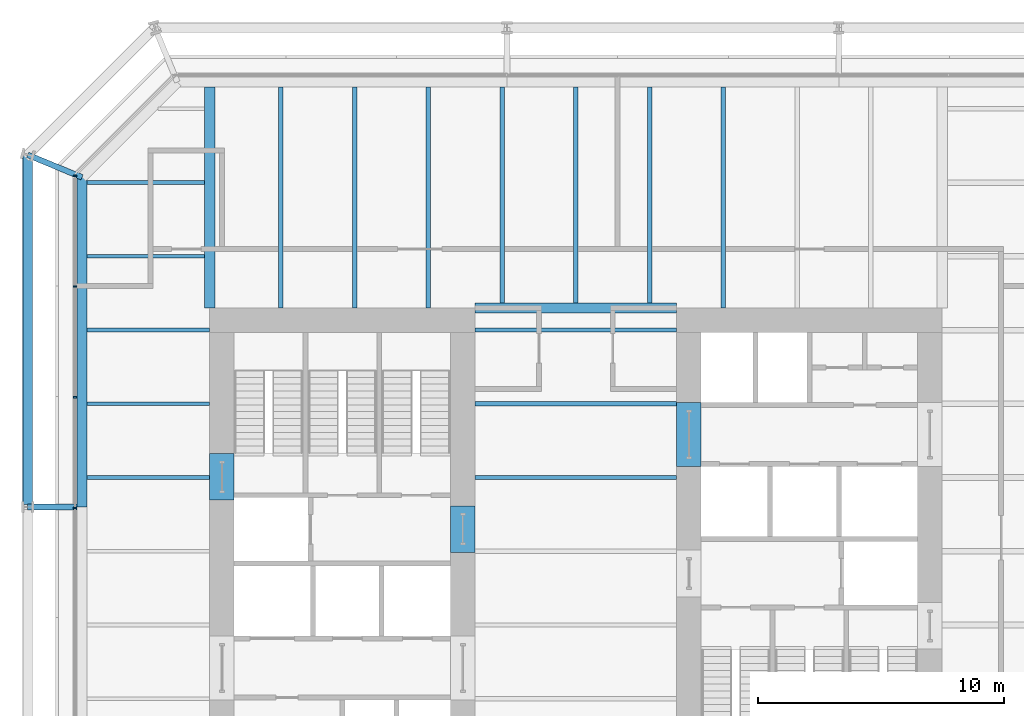
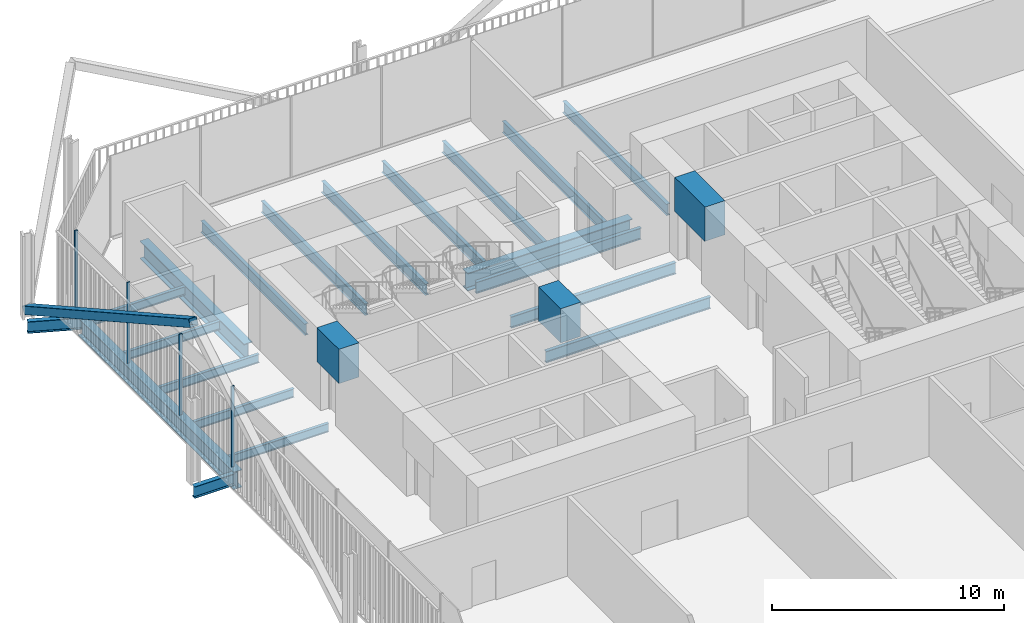
# One storey, part 11 of 21: 23 beams, 5 members, 1 element without a shape of its own.
"""IFC4 building model written with IfcOpenShell, lengths in metres."""

from ifc_helpers import new_model, si_unit, direction, frame, origin, origin_2d, place, context, subcontext, project, spatial, rectangle, hollow_rectangle, i_section, extrude, material, layer, layer_set, material_profile, profile_set, type_object, element, aggregate, save


model = new_model("IFC4")

# Units and contexts
model_context = context("Model", 3, precision=1e-05, world=origin(), true_north=direction((0.0, 1.0)))
body_context = subcontext(model_context, "Body", "Model", "MODEL_VIEW")
ifc_project = project(units=[si_unit("LENGTHUNIT", "METRE"), si_unit("AREAUNIT", "SQUARE_METRE"), si_unit("VOLUMEUNIT", "CUBIC_METRE"), si_unit("PLANEANGLEUNIT", "RADIAN"), si_unit("MASSUNIT", "GRAM", prefix="KILO")], contexts=[model_context])

# Site, building, storey
site_placement = place(None, origin())
site = spatial("IfcSite", under=ifc_project, at=site_placement, CompositionType="ELEMENT")
building_placement = place(site_placement, origin())
building = spatial("IfcBuilding", under=site, at=building_placement, Name="Millrace Tower", CompositionType="ELEMENT")
storey_placement = place(building_placement, frame((0.0, 0.0, 104.0)))
storey = spatial("IfcBuildingStorey", under=building, at=storey_placement, Name="L23", CompositionType="ELEMENT", Elevation=104.0)

# Curtain wall, members
ifc_material_1 = material(Name="Aluminium and glass", Category="aluminium")
ifc_layer = layer(ifc_material_1, 0.14990234375)
ifc_layer_set = layer_set([ifc_layer], Name="Aluminium and glass")
curtain_wall_type = type_object("IfcCurtainWallType", Name="CW-3 telecom floor curtain wall", PredefinedType="NOTDEFINED", material=ifc_layer_set)
curtain_wall_placement = place(storey_placement, origin())
curtain_wall = element("IfcCurtainWall", 1, at=curtain_wall_placement, inside=storey, type_object=curtain_wall_type, Name="Curtain wall B-F08 L23", PredefinedType="NOTDEFINED")
ifc_material_2 = material(Name="Aluminium", Category="aluminium")
ifc_material_profile_1 = material_profile(ifc_material_2, rectangle(XDim=0.06494140625, YDim=0.14990234375, at=origin_2d()))
ifc_profile_set_1 = profile_set([ifc_material_profile_1], Name="Aluminium")
member_type_1 = type_object("IfcMemberType", Name="CW-3 telecom floor curtain wall mullion", PredefinedType="MULLION", material=ifc_profile_set_1)
member_1_placement = place(storey_placement, frame((-20.375, 15.267578125, 0.14990234375), z_axis=(0.0, 0.0, 1.0), x_axis=(0.0, -1.0, 0.0)))
member_1 = element("IfcMember", 2, at=member_1_placement, type_object=member_type_1, Name="CW3 mullion B-F08.1", PredefinedType="MULLION", context=body_context, shape_type="SweptSolid", body=[
    extrude(rectangle(XDim=0.06494140625, YDim=0.14990234375, at=origin_2d()), origin(), (0.0, 0.0, 1.0), 4.25),
])
member_2_placement = place(storey_placement, frame((-20.375, 10.767578125, 0.14990234375), z_axis=(0.0, 0.0, 1.0), x_axis=(0.0, -1.0, 0.0)))
member_2 = element("IfcMember", 3, at=member_2_placement, type_object=member_type_1, Name="CW3 mullion B-F08.2", PredefinedType="MULLION", context=body_context, shape_type="SweptSolid", body=[
    extrude(rectangle(XDim=0.06494140625, YDim=0.14990234375, at=origin_2d()), origin(), (0.0, 0.0, 1.0), 4.25),
])
member_3_placement = place(storey_placement, frame((-20.375, 6.267578125, 0.14990234375), z_axis=(0.0, 0.0, 1.0), x_axis=(0.0, -1.0, 0.0)))
member_3 = element("IfcMember", 4, at=member_3_placement, type_object=member_type_1, Name="CW3 mullion B-F08.3", PredefinedType="MULLION", context=body_context, shape_type="SweptSolid", body=[
    extrude(rectangle(XDim=0.06494140625, YDim=0.14990234375, at=origin_2d()), origin(), (0.0, 0.0, 1.0), 4.25),
])
member_4_placement = place(storey_placement, frame((-20.375, 1.767578125, 0.14990234375), z_axis=(0.0, 0.0, 1.0), x_axis=(0.0, -1.0, 0.0)))
member_4 = element("IfcMember", 5, at=member_4_placement, type_object=member_type_1, Name="CW3 mullion B-F08.4", PredefinedType="MULLION", context=body_context, shape_type="SweptSolid", body=[
    extrude(rectangle(XDim=0.06494140625, YDim=0.14990234375, at=origin_2d()), origin(), (0.0, 0.0, 1.0), 4.25),
])
aggregate(curtain_wall, [member_1, member_2, member_3, member_4])

# Beams
ifc_material_3 = material(Name="Concrete C80", Category="concrete")
ifc_material_profile_2 = material_profile(ifc_material_3, rectangle(XDim=1.0, YDim=1.800048828125, at=origin_2d()))
ifc_profile_set_2 = profile_set([ifc_material_profile_2], Name="Concrete C80")
beam_type_1 = type_object("IfcBeamType", Name="Coupling beam 1000 x 1800 Concrete C80, 1300 opening", PredefinedType="BEAM", material=ifc_profile_set_2)
beam_1_placement = place(storey_placement, frame((-14.39990234375, 2.080078125, 3.300048828125), z_axis=(0.0, 1.0, 0.0), x_axis=(-1.0, 0.0, 0.0)))
element("IfcBeam", 6, at=beam_1_placement, inside=storey, type_object=beam_type_1, Name="Coupling beam W L23", PredefinedType="BEAM", context=body_context, shape_type="SweptSolid", body=[
    extrude(rectangle(XDim=1.0, YDim=1.800048828125, at=origin_2d()), origin(), (0.0, 0.0, 1.0), 1.89990234375),
])
beam_2_placement = place(storey_placement, frame((-4.60009765625, -0.050048828125, 3.300048828125), z_axis=(0.0, 1.0, 0.0), x_axis=(-1.0, 0.0, 0.0)))
element("IfcBeam", 7, at=beam_2_placement, inside=storey, type_object=beam_type_1, Name="Coupling beam W L23", PredefinedType="BEAM", context=body_context, shape_type="SweptSolid", body=[
    extrude(rectangle(XDim=1.0, YDim=1.800048828125, at=origin_2d()), origin(), (0.0, 0.0, 1.0), 1.900146484375),
])
ifc_material_4 = material(Name="Concrete C80", Category="concrete")
ifc_material_profile_3 = material_profile(ifc_material_4, rectangle(XDim=1.0, YDim=1.800048828125, at=origin_2d()))
ifc_profile_set_3 = profile_set([ifc_material_profile_3], Name="Concrete C80")
beam_type_2 = type_object("IfcBeamType", Name="Coupling beam 1000 x 1800 Concrete C80, 2000 opening", PredefinedType="BEAM", material=ifc_profile_set_3)
beam_3_placement = place(storey_placement, frame((4.60009765625, 6.050048828125, 3.300048828125), z_axis=(0.0, -1.0, 0.0), x_axis=(1.0, 0.0, 0.0)))
element("IfcBeam", 8, at=beam_3_placement, inside=storey, type_object=beam_type_2, Name="Coupling beam E L23", PredefinedType="BEAM", context=body_context, shape_type="SweptSolid", body=[
    extrude(rectangle(XDim=1.0, YDim=1.800048828125, at=origin_2d()), origin(), (0.0, 0.0, 1.0), 2.60009765625),
])

# Member
ifc_material_5 = material(Name="Steel ASTM A500 Grade C", Category="steel")
ifc_material_profile_4 = material_profile(ifc_material_5, hollow_rectangle(XDim=0.406494140625, YDim=0.406494140625, WallThickness=0.0126953125, InnerFilletRadius=0.00634765625, OuterFilletRadius=0.01904296875, at=origin_2d()))
ifc_profile_set_4 = profile_set([ifc_material_profile_4], Name="Steel ASTM A500 Grade C")
member_type_2 = type_object("IfcMemberType", Name="Exoskeleton brace HSS16x16x1/2", PredefinedType="BRACE", material=ifc_profile_set_4)
member_5_placement = place(storey_placement, frame((-22.300048828125, 16.12841796875, 0.39990234375), z_axis=(0.0, -0.873125840427, 0.487494888976), x_axis=(1.0, 0.0, 0.0)))
element("IfcMember", 9, at=member_5_placement, inside=storey, type_object=member_type_2, Name="BRC-B-L23-14", PredefinedType="BRACE", context=body_context, shape_type="SweptSolid", body=[
    extrude(hollow_rectangle(XDim=0.406494140625, YDim=0.406494140625, WallThickness=0.0126953125, InnerFilletRadius=0.00634765625, OuterFilletRadius=0.01904296875, at=origin_2d()), origin(), (0.0, 0.0, 1.0), 16.410400390625),
])

# Beams
ifc_material_6 = material(Name="Steel ASTM A992 Grade 50", Category="steel")
ifc_material_profile_5 = material_profile(ifc_material_6, i_section(OverallWidth=0.15234375, OverallDepth=0.449462890625, WebThickness=0.007568359375, FlangeThickness=0.0107421875, FilletRadius=0.01025390625, at=origin_2d()))
ifc_profile_set_5 = profile_set([ifc_material_profile_5], Name="Steel ASTM A992 Grade 50")
beam_type_3 = type_object("IfcBeamType", Name="Floor beam W18x35", PredefinedType="JOIST", material=ifc_profile_set_5)
for number, where, z_axis, x_axis, name in (
    (10, (-19.880859375, 3.0, -0.4248046875), (1.0, 0.0, 0.0), (0.0, 1.0, 0.0), "BM-B-L23-S1-S026"),
    (11, (-19.880859375, 6.0, -0.4248046875), (1.0, 0.0, 0.0), (0.0, 1.0, 0.0), "BM-B-L23-S1-S029"),
    (12, (-19.880859375, 9.0, -0.4248046875), (1.0, 0.0, 0.0), (0.0, 1.0, 0.0), "BM-B-L23-S1-S032"),
):
    element("IfcBeam", number, at=place(storey_placement, frame(where, z_axis=z_axis, x_axis=x_axis)), inside=storey, type_object=beam_type_3, Name=name, PredefinedType="JOIST", context=body_context, shape_type="SweptSolid", body=[
        extrude(i_section(OverallWidth=0.15234375, OverallDepth=0.449462890625, WebThickness=0.007568359375, FlangeThickness=0.0107421875, FilletRadius=0.01025390625, at=origin_2d()), origin(), (0.0, 0.0, 1.0), 4.98095703125),
    ])
for number, where, z_axis, x_axis, name in (
    (13, (-19.880859375, 12.0, -0.4248046875), (1.0, 0.0, 0.0), (0.0, 1.0, 0.0), "BM-B-L23-S1-S034"),
    (14, (-19.880859375, 15.0, -0.4248046875), (1.0, 0.0, 0.0), (0.0, 1.0, 0.0), "BM-B-L23-S1-S036"),
):
    element("IfcBeam", number, at=place(storey_placement, frame(where, z_axis=z_axis, x_axis=x_axis)), inside=storey, type_object=beam_type_3, Name=name, PredefinedType="JOIST", context=body_context, shape_type="SweptSolid", body=[
        extrude(i_section(OverallWidth=0.15234375, OverallDepth=0.449462890625, WebThickness=0.007568359375, FlangeThickness=0.0107421875, FilletRadius=0.01025390625, at=origin_2d()), origin(), (0.0, 0.0, 1.0), 4.77001953125),
    ])
ifc_material_7 = material(Name="Steel ASTM A992 Grade 50", Category="steel")
ifc_material_profile_6 = material_profile(ifc_material_7, i_section(OverallWidth=0.177978515625, OverallDepth=0.599365234375, WebThickness=0.010009765625, FlangeThickness=0.012939453125, FilletRadius=0.012939453125, at=origin_2d()))
ifc_profile_set_6 = profile_set([ifc_material_profile_6], Name="Steel ASTM A992 Grade 50")
beam_type_4 = type_object("IfcBeamType", Name="Floor beam W24x55", PredefinedType="JOIST", material=ifc_profile_set_6)
for number, where, z_axis, x_axis, name in (
    (15, (-4.10009765625, 3.0, -0.499755859375), (1.0, 0.0, 0.0), (0.0, 1.0, 0.0), "BM-B-L23-S1-S025"),
    (16, (-4.10009765625, 6.0, -0.499755859375), (1.0, 0.0, 0.0), (0.0, 1.0, 0.0), "BM-B-L23-S1-S028"),
    (17, (-4.10009765625, 9.0, -0.499755859375), (1.0, 0.0, 0.0), (0.0, 1.0, 0.0), "BM-B-L23-S1-S031"),
):
    element("IfcBeam", number, at=place(storey_placement, frame(where, z_axis=z_axis, x_axis=x_axis)), inside=storey, type_object=beam_type_4, Name=name, PredefinedType="JOIST", context=body_context, shape_type="SweptSolid", body=[
        extrude(i_section(OverallWidth=0.177978515625, OverallDepth=0.599365234375, WebThickness=0.010009765625, FlangeThickness=0.012939453125, FilletRadius=0.012939453125, at=origin_2d()), origin(), (0.0, 0.0, 1.0), 8.2001953125),
    ])
for number, where, z_axis, x_axis, name in (
    (18, (-12.0, 9.89990234375, -0.499755859375), (0.0, 1.0, 0.0), (-1.0, 0.0, 0.0), "BM-B-L23-S1-S040"),
    (19, (-9.0, 9.89990234375, -0.499755859375), (0.0, 1.0, 0.0), (-1.0, 0.0, 0.0), "BM-B-L23-S1-S042"),
    (20, (-6.0, 9.89990234375, -0.499755859375), (0.0, 1.0, 0.0), (-1.0, 0.0, 0.0), "BM-B-L23-S1-S044"),
):
    element("IfcBeam", number, at=place(storey_placement, frame(where, z_axis=z_axis, x_axis=x_axis)), inside=storey, type_object=beam_type_4, Name=name, PredefinedType="JOIST", context=body_context, shape_type="SweptSolid", body=[
        extrude(i_section(OverallWidth=0.177978515625, OverallDepth=0.599365234375, WebThickness=0.010009765625, FlangeThickness=0.012939453125, FilletRadius=0.012939453125, at=origin_2d()), origin(), (0.0, 0.0, 1.0), 8.98095703125),
    ])
for number, where, z_axis, x_axis, name in (
    (21, (-3.0, 10.11083984375, -0.499755859375), (0.0, 1.0, 0.0), (-1.0, 0.0, 0.0), "BM-B-L23-S1-S046"),
    (22, (0.0, 10.11083984375, -0.499755859375), (0.0, 1.0, 0.0), (-1.0, 0.0, 0.0), "BM-B-L23-S1-S048"),
    (23, (3.0, 10.11083984375, -0.499755859375), (0.0, 1.0, 0.0), (-1.0, 0.0, 0.0), "BM-B-L23-S1-S050"),
):
    element("IfcBeam", number, at=place(storey_placement, frame(where, z_axis=z_axis, x_axis=x_axis)), inside=storey, type_object=beam_type_4, Name=name, PredefinedType="JOIST", context=body_context, shape_type="SweptSolid", body=[
        extrude(i_section(OverallWidth=0.177978515625, OverallDepth=0.599365234375, WebThickness=0.010009765625, FlangeThickness=0.012939453125, FilletRadius=0.012939453125, at=origin_2d()), origin(), (0.0, 0.0, 1.0), 8.77001953125),
    ])
beam_4_placement = place(storey_placement, frame((6.0, 9.89990234375, -0.499755859375), z_axis=(0.0, 1.0, 0.0), x_axis=(-1.0, 0.0, 0.0)))
element("IfcBeam", 24, at=beam_4_placement, inside=storey, type_object=beam_type_4, Name="BM-B-L23-S1-S052", PredefinedType="JOIST", context=body_context, shape_type="SweptSolid", body=[
    extrude(i_section(OverallWidth=0.177978515625, OverallDepth=0.599365234375, WebThickness=0.010009765625, FlangeThickness=0.012939453125, FilletRadius=0.012939453125, at=origin_2d()), origin(), (0.0, 0.0, 1.0), 8.98095703125),
])
ifc_material_8 = material(Name="Steel ASTM A992 Grade 50", Category="steel")
ifc_material_profile_7 = material_profile(ifc_material_8, i_section(OverallWidth=0.421630859375, OverallDepth=0.937255859375, WebThickness=0.021240234375, FlangeThickness=0.03662109375, FilletRadius=0.024169921875, at=origin_2d()))
ifc_profile_set_7 = profile_set([ifc_material_profile_7], Name="Steel ASTM A992 Grade 50")
beam_type_5 = type_object("IfcBeamType", Name="Girder short span W36x262", PredefinedType="BEAM", material=ifc_profile_set_7)
beam_5_placement = place(storey_placement, frame((-14.89990234375, 9.89990234375, -0.668701171875), z_axis=(0.0, 1.0, 0.0), x_axis=(-1.0, 0.0, 0.0)))
element("IfcBeam", 25, at=beam_5_placement, inside=storey, type_object=beam_type_5, Name="BM-B-L23-S1-G058", PredefinedType="BEAM", context=body_context, shape_type="SweptSolid", body=[
    extrude(i_section(OverallWidth=0.421630859375, OverallDepth=0.937255859375, WebThickness=0.021240234375, FlangeThickness=0.03662109375, FilletRadius=0.024169921875, at=origin_2d()), origin(), (0.0, 0.0, 1.0), 8.98095703125),
])
beam_6_placement = place(storey_placement, frame((-4.10009765625, 9.89990234375, -0.668701171875), z_axis=(1.0, 0.0, 0.0), x_axis=(0.0, 1.0, 0.0)))
element("IfcBeam", 26, at=beam_6_placement, inside=storey, type_object=beam_type_5, Name="BM-B-L23-S1-G062", PredefinedType="BEAM", context=body_context, shape_type="SweptSolid", body=[
    extrude(i_section(OverallWidth=0.421630859375, OverallDepth=0.937255859375, WebThickness=0.021240234375, FlangeThickness=0.03662109375, FilletRadius=0.024169921875, at=origin_2d()), origin(), (0.0, 0.0, 1.0), 8.2001953125),
])
ifc_material_9 = material(Name="Steel ASTM A992 Grade 50", Category="steel")
ifc_material_profile_8 = material_profile(ifc_material_9, i_section(OverallWidth=0.23046875, OverallDepth=0.6171875, WebThickness=0.01318359375, FlangeThickness=0.022216796875, FilletRadius=0.012939453125, at=origin_2d()))
ifc_profile_set_8 = profile_set([ifc_material_profile_8], Name="Steel ASTM A992 Grade 50")
beam_type_6 = type_object("IfcBeamType", Name="Link beam W24x94", PredefinedType="BEAM", material=ifc_profile_set_8)
beam_7_placement = place(storey_placement, frame((-20.300048828125, 1.800048828125, -0.508544921875), z_axis=(-1.0, 0.0, 0.0), x_axis=(0.0, -1.0, 0.0)))
element("IfcBeam", 27, at=beam_7_placement, inside=storey, type_object=beam_type_6, Name="LNK-B-L23-S1-03", PredefinedType="BEAM", context=body_context, shape_type="SweptSolid", body=[
    extrude(i_section(OverallWidth=0.23046875, OverallDepth=0.6171875, WebThickness=0.01318359375, FlangeThickness=0.022216796875, FilletRadius=0.012939453125, at=origin_2d()), origin(), (0.0, 0.0, 1.0), 2.0),
])
beam_8_placement = place(storey_placement, frame((-20.09033203125, 15.213134765625, -0.508544921875), z_axis=(-0.923881226989, 0.382679341507, 0.0), x_axis=(-0.382679341507, -0.923881226989, 0.0)))
element("IfcBeam", 28, at=beam_8_placement, inside=storey, type_object=beam_type_6, Name="LNK-B-L23-S1-04", PredefinedType="BEAM", context=body_context, shape_type="SweptSolid", body=[
    extrude(i_section(OverallWidth=0.23046875, OverallDepth=0.6171875, WebThickness=0.01318359375, FlangeThickness=0.022216796875, FilletRadius=0.012939453125, at=origin_2d()), origin(), (0.0, 0.0, 1.0), 2.391845703125),
])
ifc_material_10 = material(Name="Steel ASTM A992 Grade 50", Category="steel")
ifc_material_profile_9 = material_profile(ifc_material_10, i_section(OverallWidth=0.419189453125, OverallDepth=0.927001953125, WebThickness=0.019287109375, FlangeThickness=0.031982421875, FilletRadius=0.024169921875, at=origin_2d()))
ifc_profile_set_9 = profile_set([ifc_material_profile_9], Name="Steel ASTM A992 Grade 50")
beam_type_7 = type_object("IfcBeamType", Name="Ring beam medium span W36x231", PredefinedType="SPANDREL", material=ifc_profile_set_9)
beam_9_placement = place(storey_placement, frame((-20.09033203125, 1.800048828125, -0.66357421875), z_axis=(0.0, 1.0, 0.0), x_axis=(-1.0, 0.0, 0.0)))
element("IfcBeam", 29, at=beam_9_placement, inside=storey, type_object=beam_type_7, Name="RNG-B-L23-S1-03", PredefinedType="SPANDREL", context=body_context, shape_type="SweptSolid", body=[
    extrude(i_section(OverallWidth=0.419189453125, OverallDepth=0.927001953125, WebThickness=0.019287109375, FlangeThickness=0.031982421875, FilletRadius=0.024169921875, at=origin_2d()), origin(), (0.0, 0.0, 1.0), 13.4130859375),
])

save(model, "model.ifc")
